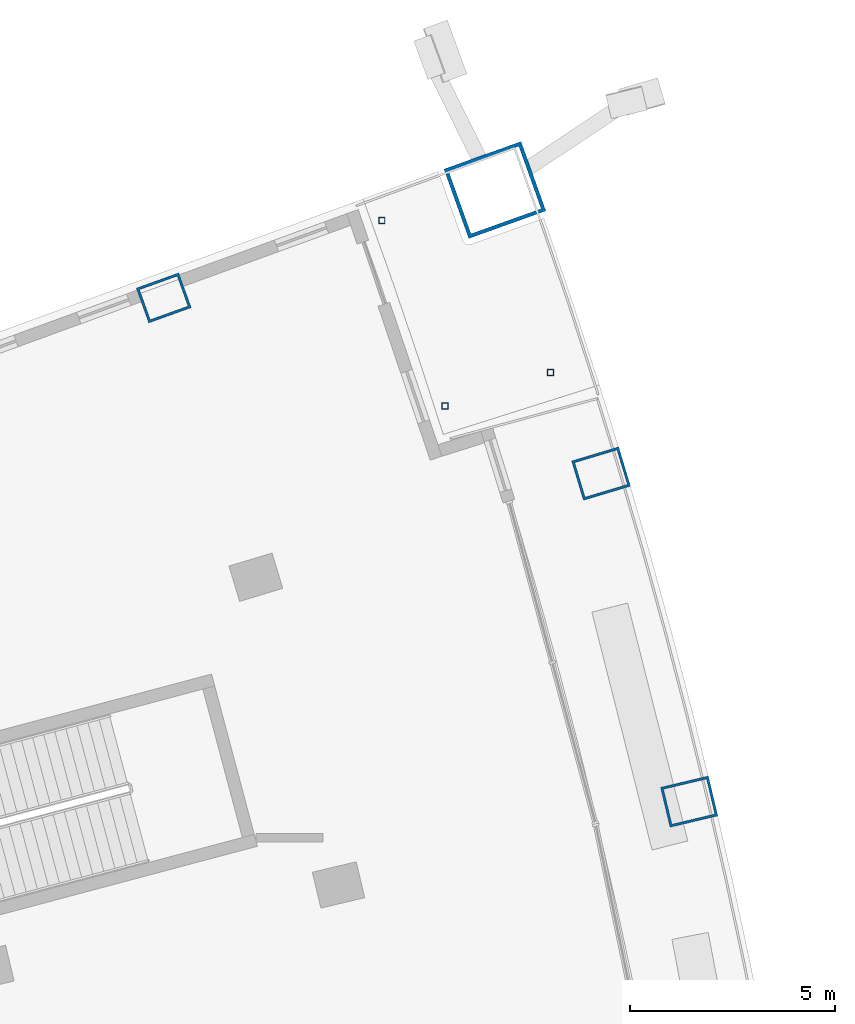
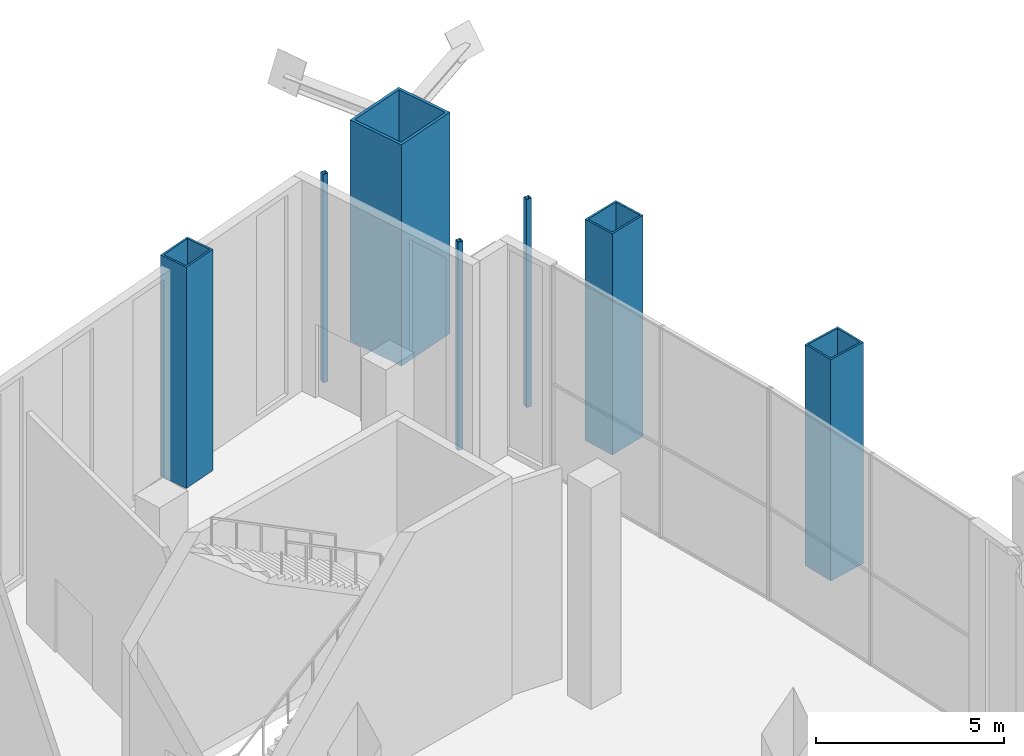
# One storey, part 8 of 27: 7 columns.
"""IFC4 building model written with IfcOpenShell, lengths in metres."""

from ifc_helpers import new_model, si_unit, direction, frame, origin, origin_2d, place, context, subcontext, project, spatial, hollow_rectangle, extrude, material, material_profile, profile_set, type_object, element, save


model = new_model("IFC4")

# Units and contexts
model_context = context("Model", 3, precision=1e-05, world=origin(), true_north=direction((0.0, 1.0)))
body_context = subcontext(model_context, "Body", "Model", "MODEL_VIEW")
ifc_project = project(units=[si_unit("LENGTHUNIT", "METRE"), si_unit("AREAUNIT", "SQUARE_METRE"), si_unit("VOLUMEUNIT", "CUBIC_METRE"), si_unit("PLANEANGLEUNIT", "RADIAN"), si_unit("MASSUNIT", "GRAM", prefix="KILO")], contexts=[model_context])

# Site, building, storey
site_placement = place(None, origin())
site = spatial("IfcSite", under=ifc_project, at=site_placement, CompositionType="ELEMENT")
building_placement = place(site_placement, origin())
building = spatial("IfcBuilding", under=site, at=building_placement, Name="Alderwake Tower", CompositionType="ELEMENT")
storey_placement = place(building_placement, frame((0.0, 0.0, 75.199951171875)))
storey = spatial("IfcBuildingStorey", under=building, at=storey_placement, Name="L18", CompositionType="ELEMENT", Elevation=75.199951171875)

# Columns
ifc_material_1 = material(Name="Steel ASTM A572 Grade 50 concrete filled C70/85", Category="concrete")
ifc_material_profile_1 = material_profile(ifc_material_1, hollow_rectangle(XDim=0.89990234375, YDim=1.10009765625, WallThickness=0.06005859375, at=origin_2d()), Name="BOX 1100X900X60")
ifc_profile_set_1 = profile_set([ifc_material_profile_1], Name="Steel ASTM A572 Grade 50 concrete filled C70/85")
column_type_1 = type_object("IfcColumnType", Name="End column Z1", PredefinedType="COLUMN", material=ifc_profile_set_1)
column_1_placement = place(storey_placement, frame((45.516845703125, 106.178466796875, 0.0), z_axis=(0.0, 0.0, 1.0), x_axis=(-0.338668949173, 0.940905597213, 0.0)))
element("IfcColumn", 1, at=column_1_placement, inside=storey, type_object=column_type_1, Name="Column R13-C4", PredefinedType="COLUMN", context=body_context, shape_type="SweptSolid", body=[
    extrude(hollow_rectangle(XDim=0.89990234375, YDim=1.10009765625, WallThickness=0.06005859375, at=origin_2d()), origin(), (0.0, 0.0, 1.0), 7.199951171875),
])
ifc_material_2 = material(Name="Steel ASTM A500 Grade C", Category="steel")
ifc_material_profile_2 = material_profile(ifc_material_2, hollow_rectangle(XDim=0.15234375, YDim=0.15234375, WallThickness=0.0087890625, at=origin_2d()), Name="HSS6X6X3/8")
ifc_profile_set_2 = profile_set([ifc_material_profile_2], Name="Steel ASTM A500 Grade C")
column_type_2 = type_object("IfcColumnType", Name="Light post HSS6X6X3/8", PredefinedType="COLUMN", material=ifc_profile_set_2)
for number, where, z_axis, x_axis, name in (
    (2, (54.95703125, 104.354736328125, 0.0), (0.0, 0.0, 1.0), (1.0, 0.0, 0.0), "Terrace post FN1"),
    (3, (50.84130859375, 108.06884765625, 0.0), (0.0, 0.0, 1.0), (1.0, 0.0, 0.0), "Terrace post FN2"),
    (4, (52.3828125, 103.540771484375, 0.0), (0.0, 0.0, 1.0), (1.0, 0.0, 0.0), "Terrace post FN3"),
):
    element("IfcColumn", number, at=place(storey_placement, frame(where, z_axis=z_axis, x_axis=x_axis)), inside=storey, type_object=column_type_2, Name=name, PredefinedType="COLUMN", context=body_context, shape_type="SweptSolid", body=[
        extrude(hollow_rectangle(XDim=0.15234375, YDim=0.15234375, WallThickness=0.0087890625, at=origin_2d()), origin(), (0.0, 0.0, 1.0), 6.780029296875),
    ])
ifc_material_3 = material(Name="Steel ASTM A572 Grade 50 concrete filled C70/85", Category="concrete")
ifc_material_profile_3 = material_profile(ifc_material_3, hollow_rectangle(XDim=1.800048828125, YDim=2.0, WallThickness=0.090087890625, at=origin_2d()), Name="BOX 2000X1800X90")
ifc_profile_set_3 = profile_set([ifc_material_profile_3], Name="Steel ASTM A572 Grade 50 concrete filled C70/85")
column_type_3 = type_object("IfcColumnType", Name="Mega column Z1", PredefinedType="COLUMN", material=ifc_profile_set_3)
column_2_placement = place(storey_placement, frame((53.602294921875, 108.8125, 0.0), z_axis=(0.0, 0.0, 1.0), x_axis=(-0.336945725149, 0.941524072079, 0.0)))
element("IfcColumn", 5, at=column_2_placement, inside=storey, type_object=column_type_3, Name="Column R13-C5", PredefinedType="COLUMN", context=body_context, shape_type="SweptSolid", body=[
    extrude(hollow_rectangle(XDim=1.800048828125, YDim=2.0, WallThickness=0.090087890625, at=origin_2d()), origin(), (0.0, 0.0, 1.0), 7.199951171875),
])
ifc_material_4 = material(Name="Steel ASTM A572 Grade 50 concrete filled C70/85", Category="concrete")
ifc_material_profile_4 = material_profile(ifc_material_4, hollow_rectangle(XDim=1.0, YDim=1.199951171875, WallThickness=0.06005859375, at=origin_2d()), Name="BOX 1200X1000X60")
ifc_profile_set_4 = profile_set([ifc_material_profile_4], Name="Steel ASTM A572 Grade 50 concrete filled C70/85")
column_type_4 = type_object("IfcColumnType", Name="Perimeter column Z1", PredefinedType="COLUMN", material=ifc_profile_set_4)
for number, where, z_axis, x_axis, name in (
    (6, (58.346435546875, 93.879638671875, 0.0), (0.0, 0.0, 1.0), (-0.231221547198, 0.972901123502, 0.0), "Column R11-C5"),
    (7, (56.1943359375, 101.889404296875, 0.0), (0.0, 0.0, 1.0), (-0.287549418125, 0.957765802342, 0.0), "Column R12-C5"),
):
    element("IfcColumn", number, at=place(storey_placement, frame(where, z_axis=z_axis, x_axis=x_axis)), inside=storey, type_object=column_type_4, Name=name, PredefinedType="COLUMN", context=body_context, shape_type="SweptSolid", body=[
        extrude(hollow_rectangle(XDim=1.0, YDim=1.199951171875, WallThickness=0.06005859375, at=origin_2d()), origin(), (0.0, 0.0, 1.0), 7.199951171875),
    ])

save(model, "model.ifc")
